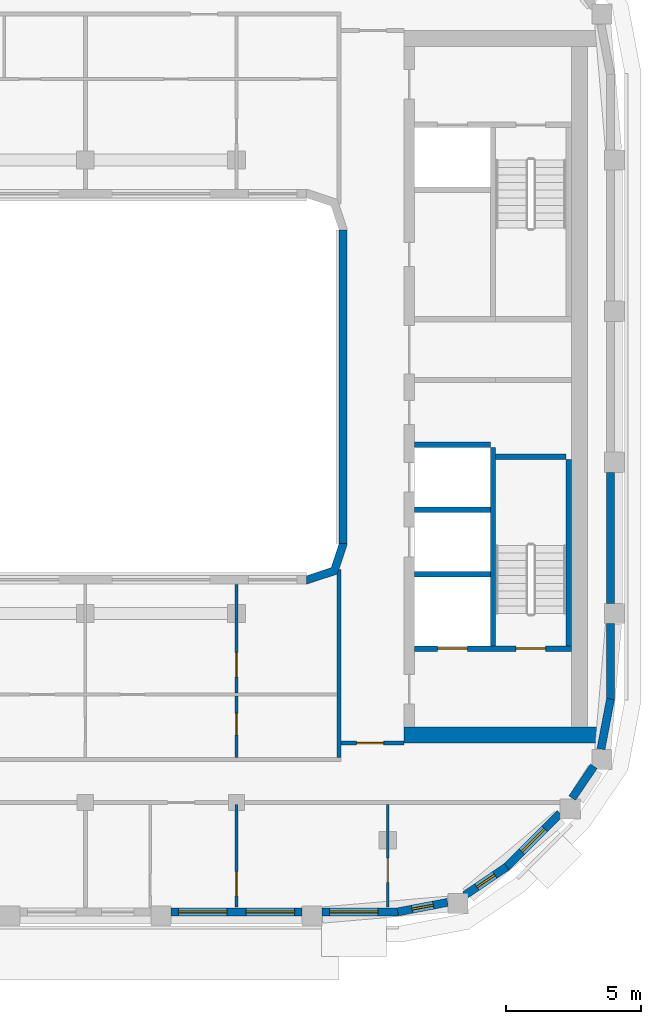
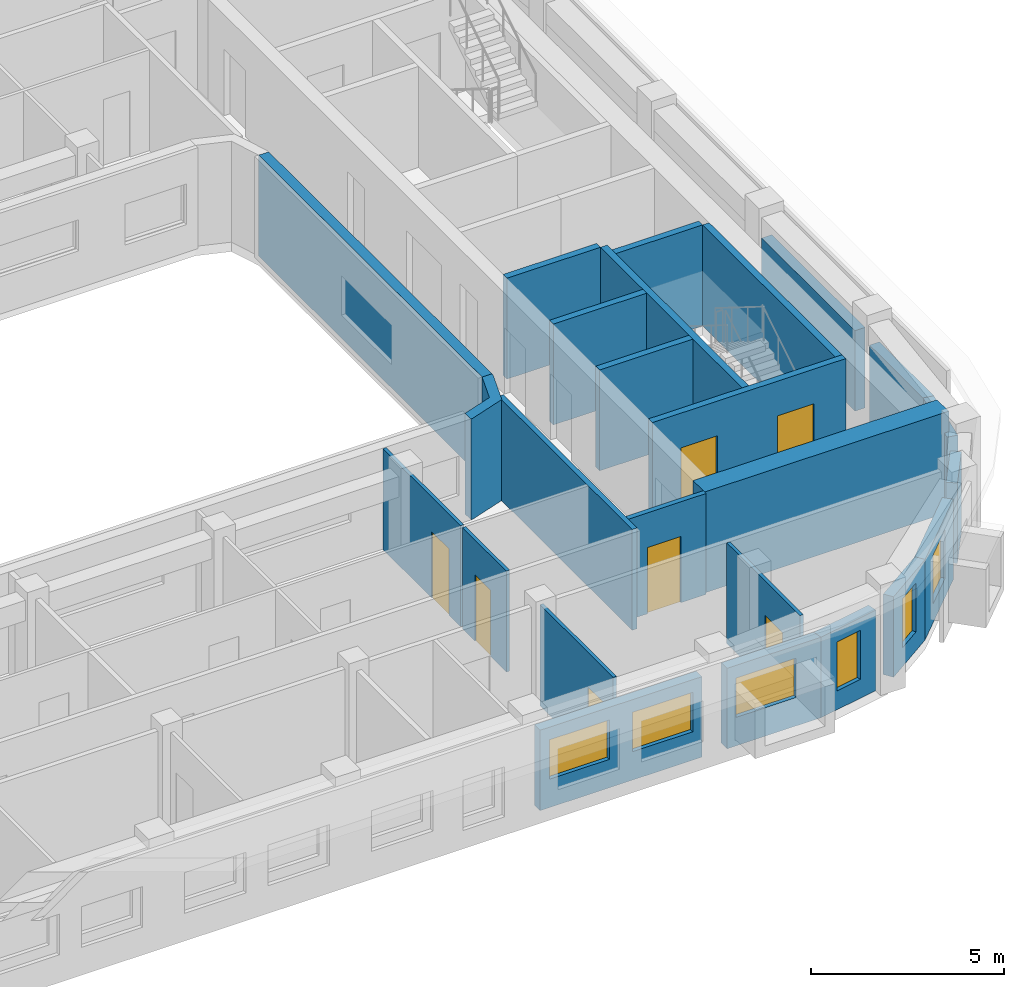
# One storey, part 5 of 16: 25 walls, 7 doors, 6 windows, 13 openings.
"""IFC4 building model written with IfcOpenShell, lengths in metres."""

from ifc_helpers import new_model, si_unit, direction, frame, frame_2d, origin, place, context, subcontext, project, spatial, polyline, rectangle, outline, extrude, material, layer, layer_set, type_object, element, fill, save


model = new_model("IFC4")

# Units and contexts
model_context = context("Model", 3, precision=1e-05, world=origin(), true_north=direction((0.0, 1.0)))
body_context = subcontext(model_context, "Body", "Model", "MODEL_VIEW")
ifc_project = project(units=[si_unit("LENGTHUNIT", "METRE"), si_unit("AREAUNIT", "SQUARE_METRE"), si_unit("VOLUMEUNIT", "CUBIC_METRE"), si_unit("PLANEANGLEUNIT", "RADIAN"), si_unit("MASSUNIT", "GRAM", prefix="KILO")], contexts=[model_context])

# Site, building, storey
site_placement = place(None, origin())
site = spatial("IfcSite", under=ifc_project, at=site_placement, CompositionType="ELEMENT")
building_placement = place(site_placement, origin())
building = spatial("IfcBuilding", under=site, at=building_placement, Name="Kiln Ring Residences", CompositionType="ELEMENT")
storey_placement = place(building_placement, frame((0.0, 0.0, 273.199951171875)))
storey = spatial("IfcBuildingStorey", under=building, at=storey_placement, Name="L71", CompositionType="ELEMENT", Elevation=273.199951171875)

# Walls
ifc_material_1 = material(Name="Gypsum shaft wall system")
ifc_layer_1 = layer(ifc_material_1, 0.199951171875)
ifc_layer_set_1 = layer_set([ifc_layer_1], Name="CORE-SHAFT-WALL-200")
wall_type_1 = type_object("IfcWallType", Name="CORE-SHAFT-WALL-200", PredefinedType="PARTITIONING", material=ifc_layer_set_1)
for number, where, z_axis, x_axis, name in (
    (1, (17.800048828125, -6.949951171875, 0.0), (0.0, 0.0, 1.0), (1.0, 0.0, 0.0), "Core partition east L71 2"),
    (2, (17.800048828125, -4.550048828125, 0.0), (0.0, 0.0, 1.0), (1.0, 0.0, 0.0), "Core partition east L71 3"),
    (3, (17.800048828125, -2.14990234375, 0.0), (0.0, 0.0, 1.0), (1.0, 0.0, 0.0), "Core partition east L71 4"),
):
    element("IfcWall", number, at=place(storey_placement, frame(where, z_axis=z_axis, x_axis=x_axis)), inside=storey, type_object=wall_type_1, Name=name, PredefinedType="PARTITIONING", context=body_context, shape_type="SweptSolid", body=[
        extrude(rectangle(XDim=2.800048828125, YDim=0.199951171875, at=frame_2d((1.39990234375, 0.0))), origin(), (0.0, 0.0, 1.0), 3.199951171875),
    ])
ifc_material_2 = material(Name="Concrete C40/50", Category="concrete")
ifc_layer_2 = layer(ifc_material_2, 0.199951171875)
ifc_layer_set_2 = layer_set([ifc_layer_2], Name="CORE-WALL-RC200")
wall_type_2 = type_object("IfcWallType", Name="CORE-WALL-RC200", PredefinedType="SHEAR", material=ifc_layer_set_2)
wall_1_placement = place(storey_placement, frame((20.699951171875, -9.60009765625, 0.0), z_axis=(0.0, 0.0, 1.0), x_axis=(0.0, 1.0, 0.0)))
element("IfcWall", 4, at=wall_1_placement, inside=storey, type_object=wall_type_2, Name="Core wall east L71 2", PredefinedType="SHEAR", context=body_context, shape_type="SweptSolid", body=[
    extrude(rectangle(XDim=7.35009765625, YDim=0.199951171875, at=frame_2d((3.675048828125, 0.0))), origin(), (0.0, 0.0, 1.0), 3.199951171875),
])

# Wall, openings, doors
wall_2_placement = place(storey_placement, frame((17.800048828125, -9.699951171875, 0.0), z_axis=(0.0, 0.0, 1.0), x_axis=(1.0, 0.0, 0.0)))
wall_2 = element("IfcWall", 5, at=wall_2_placement, inside=storey, type_object=wall_type_2, Name="Core wall east L71 8", PredefinedType="SHEAR", context=body_context, shape_type="SweptSolid", body=[
    extrude(rectangle(XDim=5.800048828125, YDim=0.199951171875, at=frame_2d((2.89990234375, 0.0))), origin(), (0.0, 0.0, 1.0), 3.199951171875),
])
opening_1_placement = place(wall_2_placement, frame((0.85009765625, 0.0, 0.0)))
opening_1 = element("IfcOpeningElement", 6, at=opening_1_placement, cuts=wall_2, Name="Opening L71-CE01", PredefinedType="OPENING", context=body_context, shape_type="SweptSolid", body=[
    extrude(rectangle(XDim=1.10009765625, YDim=2.10009765625, at=frame_2d((0.550048828125, 1.050048828125))), frame((0.0, 0.10986328125, 0.0), z_axis=(0.0, -1.0, 0.0), x_axis=(1.0, 0.0, 0.0)), (0.0, 0.0, 1.0), 0.219970703125),
])
opening_2_placement = place(wall_2_placement, frame((3.75, 0.0, 0.0)))
opening_2 = element("IfcOpeningElement", 7, at=opening_2_placement, cuts=wall_2, Name="Opening L71-CE10", PredefinedType="OPENING", context=body_context, shape_type="SweptSolid", body=[
    extrude(rectangle(XDim=1.10009765625, YDim=2.10009765625, at=frame_2d((0.550048828125, 1.050048828125))), frame((0.0, 0.10986328125, 0.0), z_axis=(0.0, -1.0, 0.0), x_axis=(1.0, 0.0, 0.0)), (0.0, 0.0, 1.0), 0.219970703125),
])
ifc_material_3 = material(Name="Steel door leaf", Category="steel")
door_type_1 = type_object("IfcDoorType", Name="CORE-DOOR-LD", OperationType="DOUBLE_DOOR_SLIDING", PredefinedType="DOOR", material=ifc_material_3)
door_1_placement = place(opening_1_placement, origin())
door_1 = element("IfcDoor", 8, at=door_1_placement, inside=storey, type_object=door_type_1, Name="LD E-SV L71-CE01", OperationType="DOUBLE_DOOR_SLIDING", OverallHeight=2.10009765625, OverallWidth=1.10009765625, PredefinedType="DOOR", context=body_context, shape_type="SweptSolid", body=[
    extrude(rectangle(XDim=1.10009765625, YDim=2.10009765625, at=frame_2d((0.550048828125, 1.050048828125))), frame((0.0, 0.02490234375, 0.0), z_axis=(0.0, -1.0, 0.0), x_axis=(1.0, 0.0, 0.0)), (0.0, 0.0, 1.0), 0.050048828125),
])
fill(opening_1, door_1)
ifc_material_4 = material(Name="Steel door leaf", Category="steel")
door_type_2 = type_object("IfcDoorType", Name="CORE-DOOR-STAIR", OperationType="SINGLE_SWING_LEFT", PredefinedType="DOOR", material=ifc_material_4)
door_2_placement = place(opening_2_placement, origin())
door_2 = element("IfcDoor", 9, at=door_2_placement, inside=storey, type_object=door_type_2, Name="Stair E-STS L71-CE10", OperationType="SINGLE_SWING_RIGHT", OverallHeight=2.10009765625, OverallWidth=1.10009765625, PredefinedType="DOOR", context=body_context, shape_type="SweptSolid", body=[
    extrude(rectangle(XDim=1.10009765625, YDim=2.10009765625, at=frame_2d((0.550048828125, 1.050048828125))), frame((0.0, 0.02490234375, 0.0), z_axis=(0.0, -1.0, 0.0), x_axis=(1.0, 0.0, 0.0)), (0.0, 0.0, 1.0), 0.050048828125),
])
fill(opening_2, door_2)

# Walls
wall_3_placement = place(storey_placement, frame((23.5, -9.60009765625, 0.0), z_axis=(0.0, 0.0, 1.0), x_axis=(0.0, 1.0, 0.0)))
element("IfcWall", 10, at=wall_3_placement, inside=storey, type_object=wall_type_2, Name="Core wall east L71 11", PredefinedType="SHEAR", context=body_context, shape_type="SweptSolid", body=[
    extrude(rectangle(XDim=6.900146484375, YDim=0.199951171875, at=frame_2d((3.4501953125, 0.0))), origin(), (0.0, 0.0, 1.0), 3.199951171875),
])
wall_4_placement = place(storey_placement, frame((20.800048828125, -2.60009765625, 0.0), z_axis=(0.0, 0.0, 1.0), x_axis=(1.0, 0.0, 0.0)))
element("IfcWall", 11, at=wall_4_placement, inside=storey, type_object=wall_type_2, Name="Core wall east L71 12", PredefinedType="SHEAR", context=body_context, shape_type="SweptSolid", body=[
    extrude(rectangle(XDim=2.599853515625, YDim=0.199951171875, at=frame_2d((1.2998046875, 0.0))), origin(), (0.0, 0.0, 1.0), 3.199951171875),
])
ifc_material_5 = material(Name="Concrete C60/75", Category="concrete")
ifc_layer_3 = layer(ifc_material_5, 0.60009765625)
ifc_layer_set_3 = layer_set([ifc_layer_3], Name="CORE-WALL-RC600")
wall_type_3 = type_object("IfcWallType", Name="CORE-WALL-RC600", PredefinedType="SHEAR", material=ifc_layer_set_3)
wall_5_placement = place(storey_placement, frame((17.39990234375, -12.89990234375, 0.0), z_axis=(0.0, 0.0, 1.0), x_axis=(1.0, 0.0, 0.0)))
element("IfcWall", 12, at=wall_5_placement, inside=storey, type_object=wall_type_3, Name="Core wall east L71 5", PredefinedType="SHEAR", context=body_context, shape_type="SweptSolid", body=[
    extrude(rectangle(XDim=7.320068359375, YDim=0.60009765625, at=frame_2d((3.66015625, 0.0))), origin(), (0.0, 0.0, 1.0), 3.199951171875),
])

# Wall, openings, windows
ifc_material_6 = material(Name="Brick masonry, dark clay brick", Category="masonry")
ifc_layer_4 = layer(ifc_material_6, 0.300048828125)
ifc_layer_set_4 = layer_set([ifc_layer_4], Name="EW-300 BRICK WALL")
wall_type_4 = type_object("IfcWallType", Name="EW-300 BRICK WALL", PredefinedType="SOLIDWALL", material=ifc_layer_set_4)
wall_6_placement = place(storey_placement, frame((8.77490234375, -19.449951171875, 0.0), z_axis=(0.0, 0.0, 1.0), x_axis=(1.0, 0.0, 0.0)))
wall_6 = element("IfcWall", 13, at=wall_6_placement, inside=storey, type_object=wall_type_4, Name="Facade wall L71 9", PredefinedType="SOLIDWALL", context=body_context, shape_type="SweptSolid", body=[
    extrude(rectangle(XDim=4.85009765625, YDim=0.300048828125, at=frame_2d((2.425048828125, 0.0))), origin(), (0.0, 0.0, 1.0), 2.550048828125),
])
opening_3_placement = place(wall_6_placement, frame((0.27490234375, 0.0, 0.89990234375)))
opening_3 = element("IfcOpeningElement", 14, at=opening_3_placement, cuts=wall_6, Name="Opening W2", PredefinedType="OPENING", context=body_context, shape_type="SweptSolid", body=[
    extrude(rectangle(XDim=1.800048828125, YDim=1.25, at=frame_2d((0.89990234375, 0.625))), frame((0.0, 0.159912109375, 0.0), z_axis=(0.0, -1.0, 0.0), x_axis=(1.0, 0.0, 0.0)), (0.0, 0.0, 1.0), 0.320068359375),
])
opening_4_placement = place(wall_6_placement, frame((2.77490234375, 0.0, 0.89990234375)))
opening_4 = element("IfcOpeningElement", 15, at=opening_4_placement, cuts=wall_6, Name="Opening W2", PredefinedType="OPENING", context=body_context, shape_type="SweptSolid", body=[
    extrude(rectangle(XDim=1.800048828125, YDim=1.25, at=frame_2d((0.89990234375, 0.625))), frame((0.0, 0.159912109375, 0.0), z_axis=(0.0, -1.0, 0.0), x_axis=(1.0, 0.0, 0.0)), (0.0, 0.0, 1.0), 0.320068359375),
])
ifc_material_7 = material(Name="Aluminium frame with double glazing", Category="aluminium")
window_type_1 = type_object("IfcWindowType", Name="WINDOW 1800 x 1250", PartitioningType="SINGLE_PANEL", PredefinedType="WINDOW", material=ifc_material_7)
window_1_placement = place(opening_3_placement, origin())
window_1 = element("IfcWindow", 16, at=window_1_placement, inside=storey, type_object=window_type_1, Name="Window L71 12", OverallHeight=1.25, OverallWidth=1.800048828125, PartitioningType="SINGLE_PANEL", PredefinedType="WINDOW", context=body_context, shape_type="SweptSolid", body=[
    extrude(rectangle(XDim=1.800048828125, YDim=1.25, at=frame_2d((0.89990234375, 0.625))), frame((0.0, 0.030029296875, 0.0), z_axis=(0.0, -1.0, 0.0), x_axis=(1.0, 0.0, 0.0)), (0.0, 0.0, 1.0), 0.06005859375),
])
fill(opening_3, window_1)
window_2_placement = place(opening_4_placement, origin())
window_2 = element("IfcWindow", 17, at=window_2_placement, inside=storey, type_object=window_type_1, Name="Window L71 13", OverallHeight=1.25, OverallWidth=1.800048828125, PartitioningType="SINGLE_PANEL", PredefinedType="WINDOW", context=body_context, shape_type="SweptSolid", body=[
    extrude(rectangle(XDim=1.800048828125, YDim=1.25, at=frame_2d((0.89990234375, 0.625))), frame((0.0, 0.030029296875, 0.0), z_axis=(0.0, -1.0, 0.0), x_axis=(1.0, 0.0, 0.0)), (0.0, 0.0, 1.0), 0.06005859375),
])
fill(opening_4, window_2)

# Wall, opening, window
wall_7_placement = place(storey_placement, frame((14.375, -19.449951171875, 0.0), z_axis=(0.0, 0.0, 1.0), x_axis=(1.0, 0.0, 0.0)))
wall_7 = element("IfcWall", 18, at=wall_7_placement, inside=storey, type_object=wall_type_4, Name="Facade wall L71 10", PredefinedType="SOLIDWALL", context=body_context, shape_type="SweptSolid", body=[
    extrude(rectangle(XDim=2.824951171875, YDim=0.300048828125, at=frame_2d((1.41259765625, 0.0))), origin(), (0.0, 0.0, 1.0), 2.550048828125),
])
opening_5_placement = place(wall_7_placement, frame((0.27490234375, 0.0, 0.89990234375)))
opening_5 = element("IfcOpeningElement", 19, at=opening_5_placement, cuts=wall_7, Name="Opening W2", PredefinedType="OPENING", context=body_context, shape_type="SweptSolid", body=[
    extrude(rectangle(XDim=1.800048828125, YDim=1.25, at=frame_2d((0.89990234375, 0.625))), frame((0.0, 0.159912109375, 0.0), z_axis=(0.0, -1.0, 0.0), x_axis=(1.0, 0.0, 0.0)), (0.0, 0.0, 1.0), 0.320068359375),
])
window_3_placement = place(opening_5_placement, origin())
window_3 = element("IfcWindow", 20, at=window_3_placement, inside=storey, type_object=window_type_1, Name="Window L71 14", OverallHeight=1.25, OverallWidth=1.800048828125, PartitioningType="SINGLE_PANEL", PredefinedType="WINDOW", context=body_context, shape_type="SweptSolid", body=[
    extrude(rectangle(XDim=1.800048828125, YDim=1.25, at=frame_2d((0.89990234375, 0.625))), frame((0.0, 0.030029296875, 0.0), z_axis=(0.0, -1.0, 0.0), x_axis=(1.0, 0.0, 0.0)), (0.0, 0.0, 1.0), 0.06005859375),
])
fill(opening_5, window_3)

wall_8_placement = place(storey_placement, frame((17.171875, -19.45263671875, 0.0), z_axis=(0.0, 0.0, 1.0), x_axis=(0.982284001233, 0.187398348234, 0.0)))
wall_8 = element("IfcWall", 21, at=wall_8_placement, inside=storey, type_object=wall_type_4, Name="Facade wall L71 11", PredefinedType="SOLIDWALL", context=body_context, shape_type="SweptSolid", body=[
    extrude(rectangle(XDim=1.88134765625, YDim=0.300048828125, at=frame_2d((0.940673828125, 0.0))), origin(), (0.0, 0.0, 1.0), 2.550048828125),
])
opening_6_placement = place(wall_8_placement, frame((0.54052734375, 0.0, 0.60009765625)))
opening_6 = element("IfcOpeningElement", 22, at=opening_6_placement, cuts=wall_8, Name="Opening W5", PredefinedType="OPENING", context=body_context, shape_type="SweptSolid", body=[
    extrude(rectangle(XDim=0.800048828125, YDim=1.550048828125, at=frame_2d((0.39990234375, 0.77490234375))), frame((0.0, 0.159912109375, 0.0), z_axis=(0.0, -1.0, 0.0), x_axis=(1.0, 0.0, 0.0)), (0.0, 0.0, 1.0), 0.320068359375),
])
ifc_material_8 = material(Name="Aluminium frame with double glazing", Category="aluminium")
window_type_2 = type_object("IfcWindowType", Name="WINDOW 800 x 1550", PartitioningType="SINGLE_PANEL", PredefinedType="WINDOW", material=ifc_material_8)
window_4_placement = place(opening_6_placement, origin())
window_4 = element("IfcWindow", 23, at=window_4_placement, inside=storey, type_object=window_type_2, Name="Window L71 15", OverallHeight=1.550048828125, OverallWidth=0.800048828125, PartitioningType="SINGLE_PANEL", PredefinedType="WINDOW", context=body_context, shape_type="SweptSolid", body=[
    extrude(rectangle(XDim=0.800048828125, YDim=1.550048828125, at=frame_2d((0.39990234375, 0.77490234375))), frame((0.0, 0.030029296875, 0.0), z_axis=(0.0, -1.0, 0.0), x_axis=(1.0, 0.0, 0.0)), (0.0, 0.0, 1.0), 0.06005859375),
])
fill(opening_6, window_4)

wall_9_placement = place(storey_placement, frame((19.656982421875, -18.836181640625, 0.0), z_axis=(0.0, 0.0, 1.0), x_axis=(0.82704477487, 0.562136051469, 0.0)))
wall_9 = element("IfcWall", 24, at=wall_9_placement, inside=storey, type_object=wall_type_4, Name="Facade wall L71 12", PredefinedType="SOLIDWALL", context=body_context, shape_type="SweptSolid", body=[
    extrude(rectangle(XDim=1.881103515625, YDim=0.300048828125, at=frame_2d((0.9404296875, 0.0))), origin(), (0.0, 0.0, 1.0), 2.550048828125),
])
opening_7_placement = place(wall_9_placement, frame((0.54052734375, 0.0, 0.60009765625)))
opening_7 = element("IfcOpeningElement", 25, at=opening_7_placement, cuts=wall_9, Name="Opening W5", PredefinedType="OPENING", context=body_context, shape_type="SweptSolid", body=[
    extrude(rectangle(XDim=0.800048828125, YDim=1.550048828125, at=frame_2d((0.39990234375, 0.77490234375))), frame((0.0, 0.159912109375, 0.0), z_axis=(0.0, -1.0, 0.0), x_axis=(1.0, 0.0, 0.0)), (0.0, 0.0, 1.0), 0.320068359375),
])
window_5_placement = place(opening_7_placement, origin())
window_5 = element("IfcWindow", 26, at=window_5_placement, inside=storey, type_object=window_type_2, Name="Window L71 16", OverallHeight=1.550048828125, OverallWidth=0.800048828125, PartitioningType="SINGLE_PANEL", PredefinedType="WINDOW", context=body_context, shape_type="SweptSolid", body=[
    extrude(rectangle(XDim=0.800048828125, YDim=1.550048828125, at=frame_2d((0.39990234375, 0.77490234375))), frame((0.0, 0.030029296875, 0.0), z_axis=(0.0, -1.0, 0.0), x_axis=(1.0, 0.0, 0.0)), (0.0, 0.0, 1.0), 0.06005859375),
])
fill(opening_7, window_5)

wall_10_placement = place(storey_placement, frame((21.19091796875, -17.796875, 0.0), z_axis=(0.0, 0.0, 1.0), x_axis=(0.707106781187, 0.707106781187, 0.0)))
wall_10 = element("IfcWall", 27, at=wall_10_placement, inside=storey, type_object=wall_type_4, Name="Facade wall L71 13", PredefinedType="SOLIDWALL", context=body_context, shape_type="SweptSolid", body=[
    extrude(rectangle(XDim=2.824951171875, YDim=0.300048828125, at=frame_2d((1.41259765625, 0.0))), origin(), (0.0, 0.0, 1.0), 2.550048828125),
])
opening_8_placement = place(wall_10_placement, frame((0.8125, 0.0, 0.60009765625)))
opening_8 = element("IfcOpeningElement", 28, at=opening_8_placement, cuts=wall_10, Name="Opening W1", PredefinedType="OPENING", context=body_context, shape_type="SweptSolid", body=[
    extrude(rectangle(XDim=1.199951171875, YDim=1.550048828125, at=frame_2d((0.60009765625, 0.77490234375))), frame((0.0, 0.159912109375, 0.0), z_axis=(0.0, -1.0, 0.0), x_axis=(1.0, 0.0, 0.0)), (0.0, 0.0, 1.0), 0.320068359375),
])
ifc_material_9 = material(Name="Aluminium frame with double glazing", Category="aluminium")
window_type_3 = type_object("IfcWindowType", Name="WINDOW 1200 x 1550", PartitioningType="SINGLE_PANEL", PredefinedType="WINDOW", material=ifc_material_9)
window_6_placement = place(opening_8_placement, origin())
window_6 = element("IfcWindow", 29, at=window_6_placement, inside=storey, type_object=window_type_3, Name="Window L71 17", OverallHeight=1.550048828125, OverallWidth=1.199951171875, PartitioningType="SINGLE_PANEL", PredefinedType="WINDOW", context=body_context, shape_type="SweptSolid", body=[
    extrude(rectangle(XDim=1.199951171875, YDim=1.550048828125, at=frame_2d((0.60009765625, 0.77490234375))), frame((0.0, 0.030029296875, 0.0), z_axis=(0.0, -1.0, 0.0), x_axis=(1.0, 0.0, 0.0)), (0.0, 0.0, 1.0), 0.06005859375),
])
fill(opening_8, window_6)

# Walls
wall_11_placement = place(storey_placement, frame((23.634033203125, -15.2373046875, 0.0), z_axis=(0.0, 0.0, 1.0), x_axis=(0.562099454787, 0.827069648173, 0.0)))
element("IfcWall", 30, at=wall_11_placement, inside=storey, type_object=wall_type_4, Name="Facade wall L71 14", PredefinedType="SOLIDWALL", context=body_context, shape_type="SweptSolid", body=[
    extrude(rectangle(XDim=1.42724609375, YDim=0.300048828125, at=frame_2d((0.713623046875, 0.0))), origin(), (0.0, 0.0, 1.0), 2.550048828125),
])
wall_12_placement = place(storey_placement, frame((24.7001953125, -13.419677734375, 0.0), z_axis=(0.0, 0.0, 1.0), x_axis=(0.187398348234, 0.982284001233, 0.0)))
element("IfcWall", 31, at=wall_12_placement, inside=storey, type_object=wall_type_4, Name="Facade wall L71 15", PredefinedType="SOLIDWALL", context=body_context, shape_type="SweptSolid", body=[
    extrude(rectangle(XDim=1.88134765625, YDim=0.300048828125, at=frame_2d((0.940673828125, 0.0))), origin(), (0.0, 0.0, 1.0), 2.550048828125),
])
wall_13_placement = place(storey_placement, frame((25.050048828125, -11.60009765625, 0.0), z_axis=(0.0, 0.0, 1.0), x_axis=(0.0, 1.0, 0.0)))
element("IfcWall", 32, at=wall_13_placement, inside=storey, type_object=wall_type_4, Name="Facade wall L71 16", PredefinedType="SOLIDWALL", context=body_context, shape_type="SweptSolid", body=[
    extrude(rectangle(XDim=2.8251953125, YDim=0.300048828125, at=frame_2d((1.41259765625, 0.0))), origin(), (0.0, 0.0, 1.0), 2.550048828125),
])
wall_14_placement = place(storey_placement, frame((25.050048828125, -8.02490234375, 0.0), z_axis=(0.0, 0.0, 1.0), x_axis=(0.0, 1.0, 0.0)))
element("IfcWall", 33, at=wall_14_placement, inside=storey, type_object=wall_type_4, Name="Facade wall L71 17", PredefinedType="SOLIDWALL", context=body_context, shape_type="SweptSolid", body=[
    extrude(rectangle(XDim=4.849853515625, YDim=0.300048828125, at=frame_2d((2.4248046875, 0.0))), origin(), (0.0, 0.0, 1.0), 2.550048828125),
])
wall_15_placement = place(storey_placement, frame((15.14990234375, 5.800048828125, 0.0), z_axis=(0.0, 0.0, 1.0), x_axis=(0.0, -1.0, 0.0)))
element("IfcWall", 34, at=wall_15_placement, inside=storey, type_object=wall_type_4, Name="Facade wall L71 47", PredefinedType="SOLIDWALL", context=body_context, shape_type="SweptSolid", body=[
    extrude(rectangle(XDim=11.60009765625, YDim=0.300048828125, at=frame_2d((5.800048828125, 0.0))), origin(), (0.0, 0.0, 1.0), 3.199951171875),
])
wall_16_placement = place(storey_placement, origin())
element("IfcWall", 35, at=wall_16_placement, inside=storey, type_object=wall_type_4, Name="Corner wall L71 3", PredefinedType="SOLIDWALL", context=body_context, shape_type="SweptSolid", body=[
    extrude(outline(polyline([(14.937255859375, -6.937255859375), (15.300048828125, -5.8486328125), (15.300048828125, -5.800048828125), (15.0, -5.800048828125), (14.699951171875, -6.699951171875), (13.800048828125, -7.0), (13.800048828125, -7.300048828125), (13.8486328125, -7.300048828125), (14.937255859375, -6.937255859375)])), origin(), (0.0, 0.0, 1.0), 3.199951171875),
])

# Wall, opening, door
ifc_material_10 = material(Name="Gypsum board on steel studs", Category="steel")
ifc_layer_5 = layer(ifc_material_10, 0.10009765625)
ifc_layer_set_5 = layer_set([ifc_layer_5], Name="PARTITION-100")
wall_type_5 = type_object("IfcWallType", Name="PARTITION-100", PredefinedType="PARTITIONING", material=ifc_layer_set_5)
wall_17_placement = place(storey_placement, frame((11.199951171875, -19.280029296875, 0.0), z_axis=(0.0, 0.0, 1.0), x_axis=(0.0, 1.0, 0.0)))
wall_17 = element("IfcWall", 36, at=wall_17_placement, inside=storey, type_object=wall_type_5, Name="Partition 045", PredefinedType="PARTITIONING", context=body_context, shape_type="SweptSolid", body=[
    extrude(rectangle(XDim=3.804931640625, YDim=0.10009765625, at=frame_2d((1.90234375, 0.0))), origin(), (0.0, 0.0, 1.0), 3.199951171875),
])
opening_9_placement = place(wall_17_placement, frame((0.419921875, 0.0, 0.0)))
opening_9 = element("IfcOpeningElement", 37, at=opening_9_placement, cuts=wall_17, Name="Opening L71-D051", PredefinedType="OPENING", context=body_context, shape_type="SweptSolid", body=[
    extrude(rectangle(XDim=0.89990234375, YDim=2.10009765625, at=frame_2d((0.449951171875, 1.050048828125))), frame((0.0, 0.06005859375, 0.0), z_axis=(0.0, -1.0, 0.0), x_axis=(1.0, 0.0, 0.0)), (0.0, 0.0, 1.0), 0.1201171875),
])
ifc_material_11 = material(Name="Timber door leaf", Category="wood")
door_type_3 = type_object("IfcDoorType", Name="FLAT-DOOR-900-PL", OperationType="SINGLE_SWING_LEFT", PredefinedType="DOOR", material=ifc_material_11)
door_3_placement = place(opening_9_placement, origin())
door_3 = element("IfcDoor", 38, at=door_3_placement, inside=storey, type_object=door_type_3, Name="Door L71-D051", OperationType="SINGLE_SWING_LEFT", OverallHeight=2.10009765625, OverallWidth=0.89990234375, PredefinedType="DOOR", context=body_context, shape_type="SweptSolid", body=[
    extrude(rectangle(XDim=0.89990234375, YDim=2.10009765625, at=frame_2d((0.449951171875, 1.050048828125))), frame((0.0, 0.02490234375, 0.0), z_axis=(0.0, -1.0, 0.0), x_axis=(1.0, 0.0, 0.0)), (0.0, 0.0, 1.0), 0.050048828125),
])
fill(opening_9, door_3)

wall_18_placement = place(storey_placement, frame((11.199951171875, -13.72509765625, 0.0), z_axis=(0.0, 0.0, 1.0), x_axis=(0.0, 1.0, 0.0)))
wall_18 = element("IfcWall", 39, at=wall_18_placement, inside=storey, type_object=wall_type_5, Name="Partition 046", PredefinedType="PARTITIONING", context=body_context, shape_type="SweptSolid", body=[
    extrude(rectangle(XDim=2.275146484375, YDim=0.10009765625, at=frame_2d((1.1376953125, 0.0))), origin(), (0.0, 0.0, 1.0), 3.199951171875),
])
opening_10_placement = place(wall_18_placement, frame((0.825927734375, 0.0, 0.0)))
opening_10 = element("IfcOpeningElement", 40, at=opening_10_placement, cuts=wall_18, Name="Opening L71-D038", PredefinedType="OPENING", context=body_context, shape_type="SweptSolid", body=[
    extrude(rectangle(XDim=0.800048828125, YDim=2.10009765625, at=frame_2d((0.39990234375, 1.050048828125))), frame((0.0, 0.06005859375, 0.0), z_axis=(0.0, -1.0, 0.0), x_axis=(1.0, 0.0, 0.0)), (0.0, 0.0, 1.0), 0.1201171875),
])
ifc_material_12 = material(Name="Timber door leaf", Category="wood")
door_type_4 = type_object("IfcDoorType", Name="FLAT-DOOR-800-PL", OperationType="SINGLE_SWING_LEFT", PredefinedType="DOOR", material=ifc_material_12)
door_4_placement = place(opening_10_placement, origin())
door_4 = element("IfcDoor", 41, at=door_4_placement, inside=storey, type_object=door_type_4, Name="Door L71-D038", OperationType="SINGLE_SWING_RIGHT", OverallHeight=2.10009765625, OverallWidth=0.800048828125, PredefinedType="DOOR", context=body_context, shape_type="SweptSolid", body=[
    extrude(rectangle(XDim=0.800048828125, YDim=2.10009765625, at=frame_2d((0.39990234375, 1.050048828125))), frame((0.0, 0.02490234375, 0.0), z_axis=(0.0, -1.0, 0.0), x_axis=(1.0, 0.0, 0.0)), (0.0, 0.0, 1.0), 0.050048828125),
])
fill(opening_10, door_4)

wall_19_placement = place(storey_placement, frame((11.199951171875, -11.35009765625, 0.0), z_axis=(0.0, 0.0, 1.0), x_axis=(0.0, 1.0, 0.0)))
wall_19 = element("IfcWall", 42, at=wall_19_placement, inside=storey, type_object=wall_type_5, Name="Partition 047", PredefinedType="PARTITIONING", context=body_context, shape_type="SweptSolid", body=[
    extrude(rectangle(XDim=4.030029296875, YDim=0.10009765625, at=frame_2d((2.01513671875, 0.0))), origin(), (0.0, 0.0, 1.0), 3.199951171875),
])
opening_11_placement = place(wall_19_placement, frame((0.60009765625, 0.0, 0.0)))
opening_11 = element("IfcOpeningElement", 43, at=opening_11_placement, cuts=wall_19, Name="Opening L71-D041", PredefinedType="OPENING", context=body_context, shape_type="SweptSolid", body=[
    extrude(rectangle(XDim=0.89990234375, YDim=2.10009765625, at=frame_2d((0.449951171875, 1.050048828125))), frame((0.0, 0.06005859375, 0.0), z_axis=(0.0, -1.0, 0.0), x_axis=(1.0, 0.0, 0.0)), (0.0, 0.0, 1.0), 0.1201171875),
])
door_5_placement = place(opening_11_placement, origin())
door_5 = element("IfcDoor", 44, at=door_5_placement, inside=storey, type_object=door_type_3, Name="Door L71-D041", OperationType="SINGLE_SWING_LEFT", OverallHeight=2.10009765625, OverallWidth=0.89990234375, PredefinedType="DOOR", context=body_context, shape_type="SweptSolid", body=[
    extrude(rectangle(XDim=0.89990234375, YDim=2.10009765625, at=frame_2d((0.449951171875, 1.050048828125))), frame((0.0, 0.02490234375, 0.0), z_axis=(0.0, -1.0, 0.0), x_axis=(1.0, 0.0, 0.0)), (0.0, 0.0, 1.0), 0.050048828125),
])
fill(opening_11, door_5)

wall_20_placement = place(storey_placement, frame((16.800048828125, -19.280029296875, 0.0), z_axis=(0.0, 0.0, 1.0), x_axis=(0.0, 1.0, 0.0)))
wall_20 = element("IfcWall", 45, at=wall_20_placement, inside=storey, type_object=wall_type_5, Name="Partition 054", PredefinedType="PARTITIONING", context=body_context, shape_type="SweptSolid", body=[
    extrude(rectangle(XDim=3.804931640625, YDim=0.10009765625, at=frame_2d((1.90234375, 0.0))), origin(), (0.0, 0.0, 1.0), 3.199951171875),
])
opening_12_placement = place(wall_20_placement, frame((0.919921875, 0.0, 0.0)))
opening_12 = element("IfcOpeningElement", 46, at=opening_12_placement, cuts=wall_20, Name="Opening L71-D052", PredefinedType="OPENING", context=body_context, shape_type="SweptSolid", body=[
    extrude(rectangle(XDim=0.89990234375, YDim=2.10009765625, at=frame_2d((0.449951171875, 1.050048828125))), frame((0.0, 0.06005859375, 0.0), z_axis=(0.0, -1.0, 0.0), x_axis=(1.0, 0.0, 0.0)), (0.0, 0.0, 1.0), 0.1201171875),
])
door_6_placement = place(opening_12_placement, origin())
door_6 = element("IfcDoor", 47, at=door_6_placement, inside=storey, type_object=door_type_3, Name="Door L71-D052", OperationType="SINGLE_SWING_LEFT", OverallHeight=2.10009765625, OverallWidth=0.89990234375, PredefinedType="DOOR", context=body_context, shape_type="SweptSolid", body=[
    extrude(rectangle(XDim=0.89990234375, YDim=2.10009765625, at=frame_2d((0.449951171875, 1.050048828125))), frame((0.0, 0.02490234375, 0.0), z_axis=(0.0, -1.0, 0.0), x_axis=(1.0, 0.0, 0.0)), (0.0, 0.0, 1.0), 0.050048828125),
])
fill(opening_12, door_6)

ifc_material_13 = material(Name="Brick masonry partition", Category="masonry")
ifc_layer_6 = layer(ifc_material_13, 0.14990234375)
ifc_layer_set_6 = layer_set([ifc_layer_6], Name="PARTITION-150-ei60")
wall_type_6 = type_object("IfcWallType", Name="PARTITION-150-ei60", PredefinedType="PARTITIONING", material=ifc_layer_set_6)
wall_21_placement = place(storey_placement, frame((15.074951171875, -13.199951171875, 0.0), z_axis=(0.0, 0.0, 1.0), x_axis=(1.0, 0.0, 0.0)))
wall_21 = element("IfcWall", 48, at=wall_21_placement, inside=storey, type_object=wall_type_6, Name="Partition 003", PredefinedType="PARTITIONING", context=body_context, shape_type="SweptSolid", body=[
    extrude(rectangle(XDim=2.324951171875, YDim=0.14990234375, at=frame_2d((1.16259765625, 0.0))), origin(), (0.0, 0.0, 1.0), 3.199951171875),
])
opening_13_placement = place(wall_21_placement, frame((0.574951171875, 0.0, 0.0)))
opening_13 = element("IfcOpeningElement", 49, at=opening_13_placement, cuts=wall_21, Name="Opening L71-D004", PredefinedType="OPENING", context=body_context, shape_type="SweptSolid", body=[
    extrude(rectangle(XDim=1.0, YDim=2.10009765625, at=frame_2d((0.5, 1.050048828125))), frame((0.0, 0.0849609375, 0.0), z_axis=(0.0, -1.0, 0.0), x_axis=(1.0, 0.0, 0.0)), (0.0, 0.0, 1.0), 0.169921875),
])
ifc_material_14 = material(Name="Steel faced fire door leaf", Category="steel")
door_type_5 = type_object("IfcDoorType", Name="FLAT-DOOR-1000-FR", OperationType="SINGLE_SWING_LEFT", PredefinedType="DOOR", material=ifc_material_14)
door_7_placement = place(opening_13_placement, origin())
door_7 = element("IfcDoor", 50, at=door_7_placement, inside=storey, type_object=door_type_5, Name="Door L71-D004", OperationType="SINGLE_SWING_LEFT", OverallHeight=2.10009765625, OverallWidth=1.0, PredefinedType="DOOR", context=body_context, shape_type="SweptSolid", body=[
    extrude(rectangle(XDim=1.0, YDim=2.10009765625, at=frame_2d((0.5, 1.050048828125))), frame((0.0, 0.02490234375, 0.0), z_axis=(0.0, -1.0, 0.0), x_axis=(1.0, 0.0, 0.0)), (0.0, 0.0, 1.0), 0.050048828125),
])
fill(opening_13, door_7)

# Wall
wall_22_placement = place(storey_placement, frame((15.0, -13.72509765625, 0.0), z_axis=(0.0, 0.0, 1.0), x_axis=(0.0, 1.0, 0.0)))
element("IfcWall", 51, at=wall_22_placement, inside=storey, type_object=wall_type_6, Name="Partition 052", PredefinedType="PARTITIONING", context=body_context, shape_type="SweptSolid", body=[
    extrude(rectangle(XDim=6.956298828125, YDim=0.14990234375, at=frame_2d((3.47802734375, 0.0))), origin(), (0.0, 0.0, 1.0), 3.199951171875),
])

save(model, "model.ifc")
